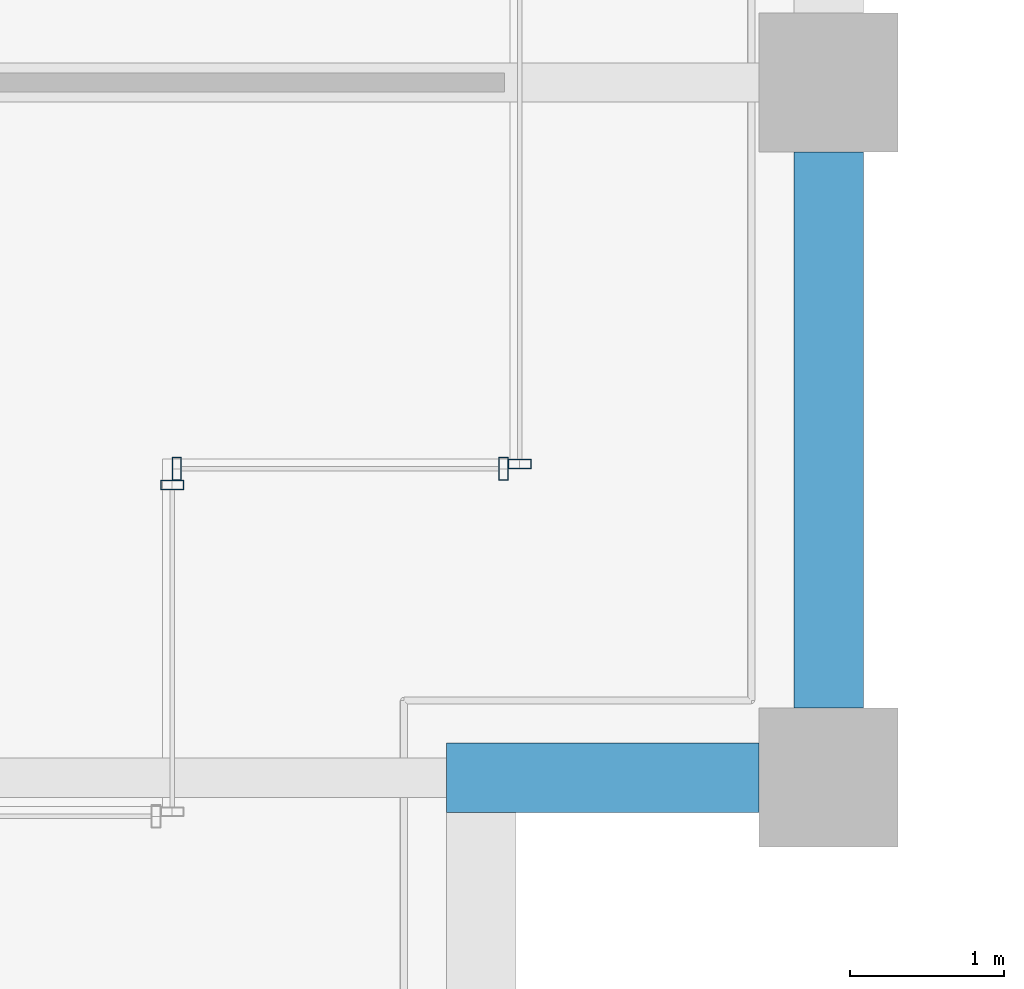
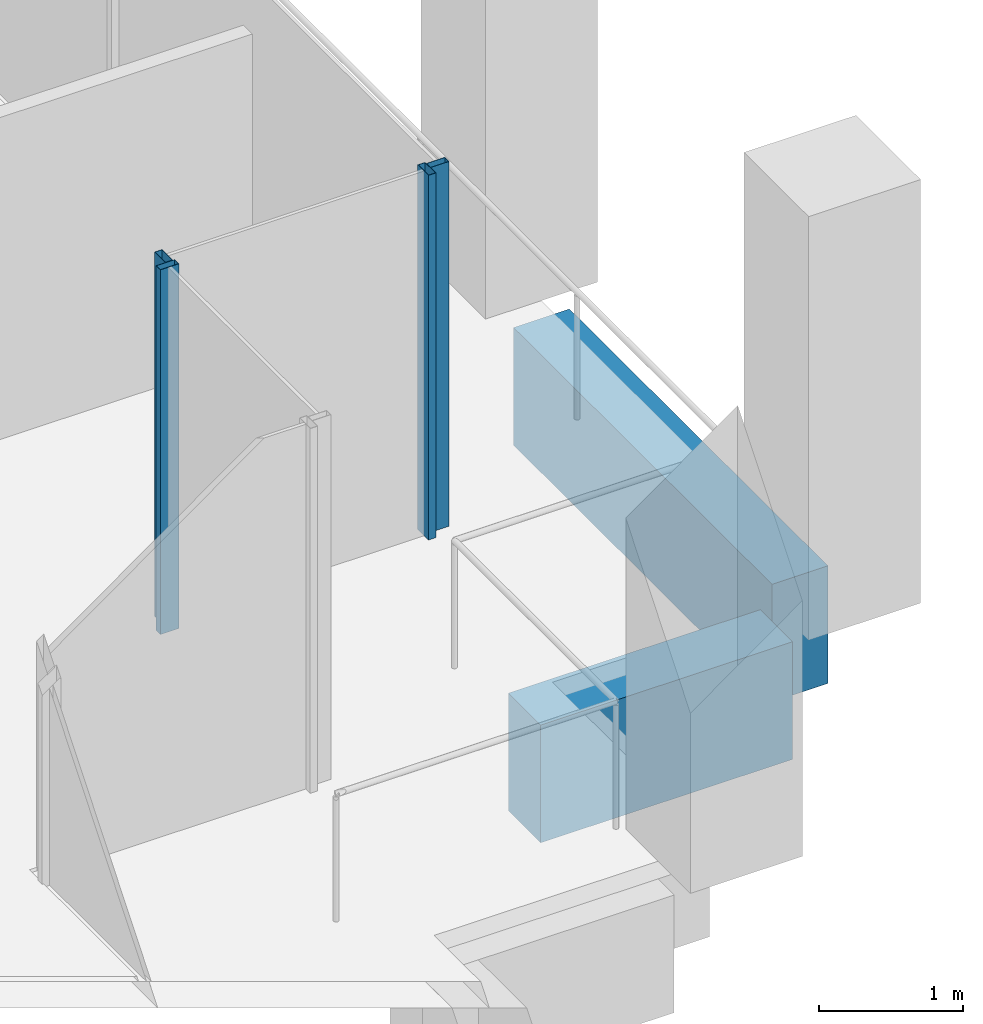
# One storey, part 13 of 40: 4 members, 2 beams, 3 elements without a shape of their own.
"""IFC4 building model written with IfcOpenShell, lengths in metres."""

from ifc_helpers import new_model, si_unit, direction, frame, origin, origin_2d, place, context, subcontext, project, spatial, rectangle, hollow_rectangle, extrude, material, material_profile, profile_set, type_object, element, aggregate, save


model = new_model("IFC4")

# Units and contexts
model_context = context("Model", 3, precision=1e-05, world=origin(), true_north=direction((0.0, 1.0)))
body_context = subcontext(model_context, "Body", "Model", "MODEL_VIEW")
ifc_project = project(units=[si_unit("LENGTHUNIT", "METRE"), si_unit("AREAUNIT", "SQUARE_METRE"), si_unit("VOLUMEUNIT", "CUBIC_METRE"), si_unit("PLANEANGLEUNIT", "RADIAN"), si_unit("MASSUNIT", "GRAM", prefix="KILO")], contexts=[model_context])

# Site, building, storey
site_placement = place(None, origin())
site = spatial("IfcSite", under=ifc_project, at=site_placement, CompositionType="ELEMENT")
building_placement = place(site_placement, origin())
building = spatial("IfcBuilding", under=site, at=building_placement, Name="Altepetl Exchange Towers", CompositionType="ELEMENT")
storey_placement = place(building_placement, frame((0.0, 0.0, 179.800048828125)))
storey = spatial("IfcBuildingStorey", under=building, at=storey_placement, Name="L45", CompositionType="ELEMENT", Elevation=179.800048828125)

# Curtain wall, member
ifc_material_1 = material(Name="Aluminium 6063-T6 glazing", Category="aluminium")
curtain_wall_type = type_object("IfcCurtainWallType", Name="Loggia glazing system", PredefinedType="NOTDEFINED", material=ifc_material_1)
curtain_wall_1_placement = place(storey_placement, origin())
curtain_wall_1 = element("IfcCurtainWall", 1, at=curtain_wall_1_placement, inside=storey, type_object=curtain_wall_type, Name="CW1 run", PredefinedType="NOTDEFINED")
ifc_material_2 = material(Name="Aluminium 6063-T6", Category="aluminium")
ifc_material_profile_1 = material_profile(ifc_material_2, hollow_rectangle(XDim=0.06005859375, YDim=0.14990234375, WallThickness=0.0029296875, at=origin_2d()), Name="Mullion 60x150 aluminium")
ifc_profile_set_1 = profile_set([ifc_material_profile_1], Name="Aluminium 6063-T6")
member_type = type_object("IfcMemberType", Name="Mullion 60x150 aluminium", PredefinedType="MULLION", material=ifc_profile_set_1)
member_1_placement = place(storey_placement, frame((67.75, 33.39501953125, 0.0), z_axis=(0.0, 0.0, 1.0), x_axis=(0.0, 1.0, 0.0)))
member_1 = element("IfcMember", 2, at=member_1_placement, type_object=member_type, Name="MU1 mullion", PredefinedType="MULLION", context=body_context, shape_type="SweptSolid", body=[
    extrude(hollow_rectangle(XDim=0.06005859375, YDim=0.14990234375, WallThickness=0.0029296875, at=origin_2d()), origin(), (0.0, 0.0, 1.0), 3.099853515625),
])
aggregate(curtain_wall_1, [member_1])

# Curtain wall, members
curtain_wall_2_placement = place(storey_placement, origin())
curtain_wall_2 = element("IfcCurtainWall", 3, at=curtain_wall_2_placement, inside=storey, type_object=curtain_wall_type, Name="CW1 run", PredefinedType="NOTDEFINED")
member_2_placement = place(storey_placement, frame((67.780029296875, 33.5, 0.0)))
member_2 = element("IfcMember", 4, at=member_2_placement, type_object=member_type, Name="MU1 mullion", PredefinedType="MULLION", context=body_context, shape_type="SweptSolid", body=[
    extrude(hollow_rectangle(XDim=0.06005859375, YDim=0.14990234375, WallThickness=0.0029296875, at=origin_2d()), origin(), (0.0, 0.0, 1.0), 3.099853515625),
])
member_3_placement = place(storey_placement, frame((69.89501953125, 33.5, 0.0)))
member_3 = element("IfcMember", 5, at=member_3_placement, type_object=member_type, Name="MU1 mullion", PredefinedType="MULLION", context=body_context, shape_type="SweptSolid", body=[
    extrude(hollow_rectangle(XDim=0.06005859375, YDim=0.14990234375, WallThickness=0.0029296875, at=origin_2d()), origin(), (0.0, 0.0, 1.0), 3.099853515625),
])
aggregate(curtain_wall_2, [member_2, member_3])

# Curtain wall, member
curtain_wall_3_placement = place(storey_placement, origin())
curtain_wall_3 = element("IfcCurtainWall", 6, at=curtain_wall_3_placement, inside=storey, type_object=curtain_wall_type, Name="CW1 run", PredefinedType="NOTDEFINED")
member_4_placement = place(storey_placement, frame((70.0, 33.530029296875, 0.0), z_axis=(0.0, 0.0, 1.0), x_axis=(0.0, 1.0, 0.0)))
member_4 = element("IfcMember", 7, at=member_4_placement, type_object=member_type, Name="MU1 mullion", PredefinedType="MULLION", context=body_context, shape_type="SweptSolid", body=[
    extrude(hollow_rectangle(XDim=0.06005859375, YDim=0.14990234375, WallThickness=0.0029296875, at=origin_2d()), origin(), (0.0, 0.0, 1.0), 3.099853515625),
])
aggregate(curtain_wall_3, [member_4])

# Beams
ifc_material_3 = material(Name="Concrete C50/60 precast with cantera amarilla facing", Category="concrete")
ifc_material_profile_2 = material_profile(ifc_material_3, rectangle(XDim=0.449951171875, YDim=1.0, at=origin_2d()), Name="450 x 1000")
ifc_profile_set_2 = profile_set([ifc_material_profile_2], Name="Concrete C50/60 precast with cantera amarilla facing")
beam_type = type_object("IfcBeamType", Name="Spandrel beam 450x1000 cantera amarilla", PredefinedType="SPANDREL", material=ifc_profile_set_2)
beam_1_placement = place(storey_placement, frame((69.52490234375, 31.5, -0.650146484375), z_axis=(1.0, 0.0, 0.0), x_axis=(0.0, 1.0, 0.0)))
element("IfcBeam", 8, at=beam_1_placement, inside=storey, type_object=beam_type, Name="sp:A:L45:011", PredefinedType="SPANDREL", context=body_context, shape_type="SweptSolid", body=[
    extrude(rectangle(XDim=0.449951171875, YDim=1.0, at=origin_2d()), origin(), (0.0, 0.0, 1.0), 2.025146484375),
])
beam_2_placement = place(storey_placement, frame((72.0, 31.949951171875, -0.650146484375), z_axis=(0.0, 1.0, 0.0), x_axis=(-1.0, 0.0, 0.0)))
element("IfcBeam", 9, at=beam_2_placement, inside=storey, type_object=beam_type, Name="sp:A:L45:012", PredefinedType="SPANDREL", context=body_context, shape_type="SweptSolid", body=[
    extrude(rectangle(XDim=0.449951171875, YDim=1.0, at=origin_2d()), origin(), (0.0, 0.0, 1.0), 3.60009765625),
])

save(model, "model.ifc")
